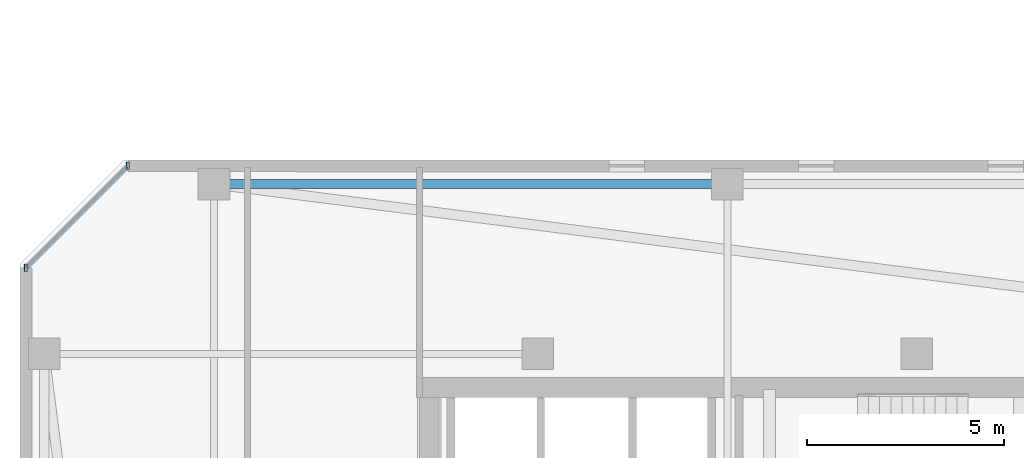
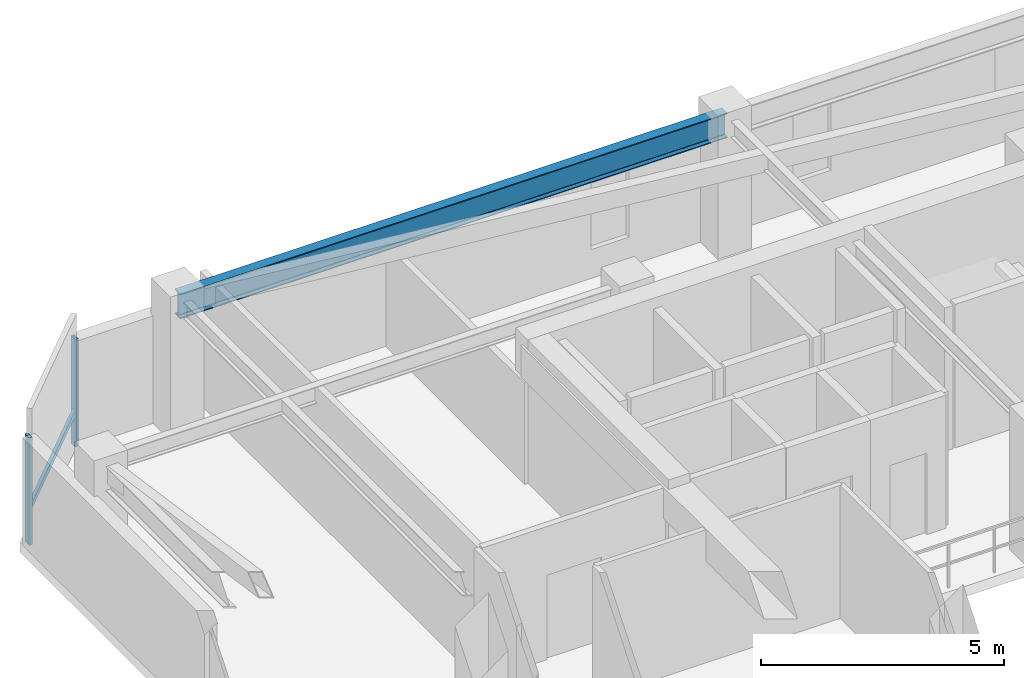
# One storey, part 10 of 34: 3 members, 1 beam, 1 element without a shape of its own.
"""IFC4 building model written with IfcOpenShell, lengths in metres."""

from ifc_helpers import new_model, si_unit, direction, frame, origin, origin_2d, place, context, subcontext, project, spatial, hollow_rectangle, i_section, extrude, material, material_profile, profile_set, type_object, element, aggregate, save


model = new_model("IFC4")

# Units and contexts
model_context = context("Model", 3, precision=1e-05, world=origin(), true_north=direction((0.0, 1.0)))
body_context = subcontext(model_context, "Body", "Model", "MODEL_VIEW")
ifc_project = project(units=[si_unit("LENGTHUNIT", "METRE"), si_unit("AREAUNIT", "SQUARE_METRE"), si_unit("VOLUMEUNIT", "CUBIC_METRE"), si_unit("PLANEANGLEUNIT", "RADIAN"), si_unit("MASSUNIT", "GRAM", prefix="KILO")], contexts=[model_context])

# Site, building, storey
site_placement = place(None, origin())
site = spatial("IfcSite", under=ifc_project, at=site_placement, CompositionType="ELEMENT")
building_placement = place(site_placement, origin())
building = spatial("IfcBuilding", under=site, at=building_placement, Name="Thornwick Lancets Civic Towers", CompositionType="ELEMENT")
storey_placement = place(building_placement, frame((0.0, 0.0, 258.300048828125)))
storey = spatial("IfcBuildingStorey", under=building, at=storey_placement, Name="L69", CompositionType="ELEMENT", Elevation=258.300048828125)

# Beam
ifc_material_1 = material(Name="Steel S355JR", Category="steel")
ifc_material_profile_1 = material_profile(ifc_material_1, i_section(OverallWidth=0.230224609375, OverallDepth=0.6171875, WebThickness=0.01318359375, FlangeThickness=0.022216796875, FilletRadius=0.0126953125, at=origin_2d()), Name="UKB 610x229x140")
ifc_profile_set_1 = profile_set([ifc_material_profile_1], Name="Steel S355JR")
beam_type = type_object("IfcBeamType", Name="BM_GIRD_610_140", PredefinedType="BEAM", material=ifc_profile_set_1)
beam_placement = place(storey_placement, frame((12.5, 44.300048828125, 3.05126953125), z_axis=(1.0, 0.0, 0.0), x_axis=(0.0, 1.0, 0.0)))
element("IfcBeam", 1, at=beam_placement, inside=storey, type_object=beam_type, Name="BM-SPINE-L69-A-6-7", PredefinedType="BEAM", context=body_context, shape_type="SweptSolid", body=[
    extrude(i_section(OverallWidth=0.230224609375, OverallDepth=0.6171875, WebThickness=0.01318359375, FlangeThickness=0.022216796875, FilletRadius=0.0126953125, at=origin_2d()), origin(), (0.0, 0.0, 1.0), 13.0),
])

# Curtain wall, members
ifc_material_2 = material(Name="High-zone chamfered-corner unitised glass curtain wall", Category="glass")
curtain_wall_type = type_object("IfcCurtainWallType", Name="CW_SYS_05", PredefinedType="NOTDEFINED", material=ifc_material_2)
curtain_wall_placement = place(storey_placement, origin())
curtain_wall = element("IfcCurtainWall", 2, at=curtain_wall_placement, inside=storey, type_object=curtain_wall_type, Name="L69 Curtain Wall CW-L69-A-E5", PredefinedType="NOTDEFINED")
ifc_material_3 = material(Name="Thermally broken bronze aluminium S355", Category="steel")
ifc_material_profile_2 = material_profile(ifc_material_3, hollow_rectangle(XDim=0.074951171875, YDim=0.179931640625, WallThickness=0.006103515625, at=origin_2d()), Name="RHS 180x75x6")
ifc_profile_set_2 = profile_set([ifc_material_profile_2], Name="Thermally broken bronze aluminium S355")
member_type_1 = type_object("IfcMemberType", Name="CW_MUL_180", PredefinedType="MULLION", material=ifc_profile_set_2)
member_1_placement = place(storey_placement, frame((10.318603515625, 44.7646484375, 0.0), z_axis=(0.0, 0.0, 1.0), x_axis=(1.0, 0.0, 0.0)))
member_1 = element("IfcMember", 3, at=member_1_placement, type_object=member_type_1, Name="CW-L69-A-E5 Mullion 0", PredefinedType="MULLION", context=body_context, shape_type="SweptSolid", body=[
    extrude(hollow_rectangle(XDim=0.074951171875, YDim=0.179931640625, WallThickness=0.006103515625, at=origin_2d()), origin(), (0.0, 0.0, 1.0), 2.699951171875),
])
member_2_placement = place(storey_placement, frame((7.7353515625, 42.181396484375, 0.0), z_axis=(0.0, 0.0, 1.0), x_axis=(1.0, 0.0, 0.0)))
member_2 = element("IfcMember", 4, at=member_2_placement, type_object=member_type_1, Name="CW-L69-A-E5 Mullion 1", PredefinedType="MULLION", context=body_context, shape_type="SweptSolid", body=[
    extrude(hollow_rectangle(XDim=0.074951171875, YDim=0.179931640625, WallThickness=0.006103515625, at=origin_2d()), origin(), (0.0, 0.0, 1.0), 2.699951171875),
])
ifc_material_profile_3 = material_profile(ifc_material_3, hollow_rectangle(XDim=0.074951171875, YDim=0.14990234375, WallThickness=0.0048828125, at=origin_2d()), Name="RHS 150x75x5")
ifc_profile_set_3 = profile_set([ifc_material_profile_3], Name="Thermally broken bronze aluminium S355")
member_type_2 = type_object("IfcMemberType", Name="CW_TRN_150", PredefinedType="USERDEFINED", material=ifc_profile_set_3)
member_3_placement = place(storey_placement, frame((10.304443359375, 44.75048828125, 0.849853515625), z_axis=(-0.707106781187, -0.707106781187, 0.0), x_axis=(0.707106781187, -0.707106781187, 0.0)))
member_3 = element("IfcMember", 5, at=member_3_placement, type_object=member_type_2, Name="CW-L69-A-E5 Transom 0", ObjectType="TRANSOM", PredefinedType="USERDEFINED", context=body_context, shape_type="SweptSolid", body=[
    extrude(hollow_rectangle(XDim=0.074951171875, YDim=0.14990234375, WallThickness=0.0048828125, at=origin_2d()), origin(), (0.0, 0.0, 1.0), 3.61328125),
])
aggregate(curtain_wall, [member_1, member_2, member_3])

save(model, "model.ifc")
